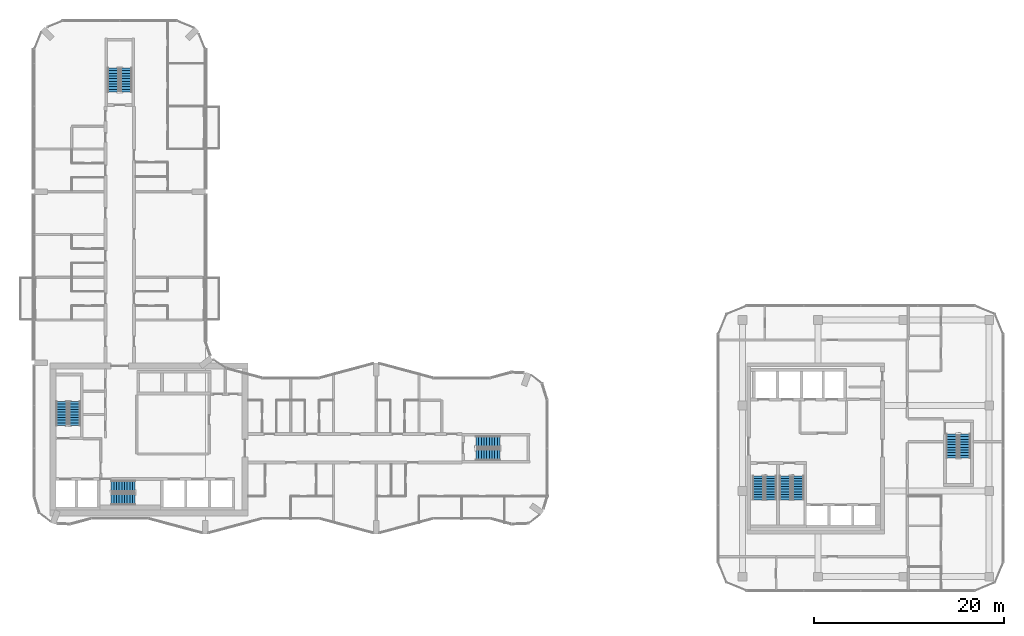
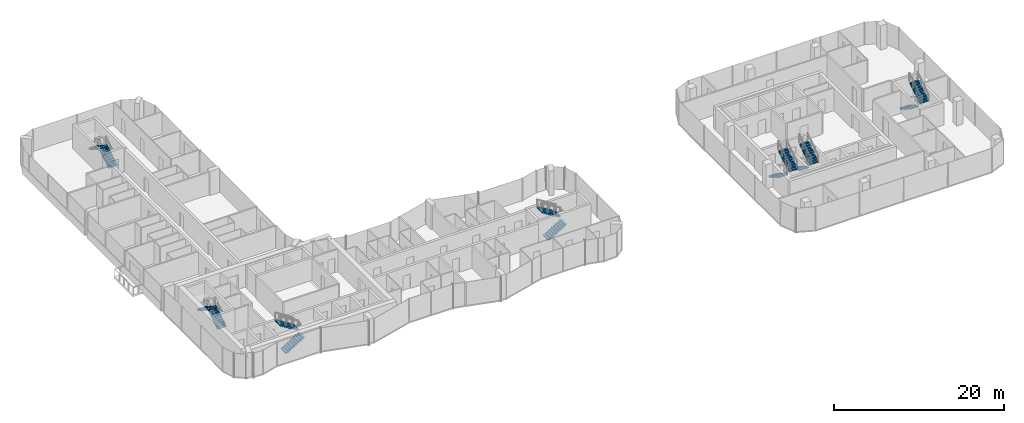
# One storey, part 19 of 22: 14 stair flights, 7 elements without a shape of their own.
"""IFC4 building model written with IfcOpenShell, lengths in metres."""

from ifc_helpers import new_model, si_unit, direction, frame, origin, place, context, subcontext, project, spatial, polyline, outline, extrude, material, type_object, element, aggregate, save


model = new_model("IFC4")

# Units and contexts
model_context = context("Model", 3, precision=1e-05, world=origin(), true_north=direction((0.0, 1.0)))
body_context = subcontext(model_context, "Body", "Model", "MODEL_VIEW")
ifc_project = project(units=[si_unit("LENGTHUNIT", "METRE"), si_unit("AREAUNIT", "SQUARE_METRE"), si_unit("VOLUMEUNIT", "CUBIC_METRE"), si_unit("PLANEANGLEUNIT", "RADIAN"), si_unit("MASSUNIT", "GRAM", prefix="KILO")], contexts=[model_context])

# Site, building, storey
site_placement = place(None, origin())
site = spatial("IfcSite", under=ifc_project, at=site_placement, CompositionType="ELEMENT")
building_placement = place(site_placement, origin())
building = spatial("IfcBuilding", under=site, at=building_placement, Name="Plateau Cross Towers", CompositionType="ELEMENT")
storey_placement = place(building_placement, frame((0.0, 0.0, 102.800048828125)))
storey = spatial("IfcBuildingStorey", under=building, at=storey_placement, Name="L26", CompositionType="ELEMENT", Elevation=102.800048828125)

# Stair, stair flights
ifc_material = material(Name="Concrete C40/50", Category="concrete")
stair_type = type_object("IfcStairType", Name="ST-TWR", PredefinedType="HALF_TURN_STAIR", material=ifc_material)
stair_1_placement = place(storey_placement, origin())
stair_1 = element("IfcStair", 1, at=stair_1_placement, inside=storey, type_object=stair_type, Name="L26 Protected Exit Stair ST-1", PredefinedType="HALF_TURN_STAIR")
stair_flight_type = type_object("IfcStairFlightType", Name="SFL-RC", PredefinedType="STRAIGHT", material=ifc_material)
stair_flight_1_placement = place(storey_placement, frame((4.25, 11.39990234375, 0.0), z_axis=(0.0, 0.0, 1.0), x_axis=(0.0, 1.0, 0.0)))
stair_flight_1 = element("IfcStairFlight", 2, at=stair_flight_1_placement, type_object=stair_flight_type, Name="ST-1 flight 1", NumberOfRisers=10, NumberOfTreads=9, PredefinedType="STRAIGHT", RiserHeight=0.175, TreadLength=0.28, context=body_context, shape_type="SweptSolid", body=[
    extrude(outline(polyline([(-0.0048828125, -0.010009765625), (-0.0048828125, 0.0), (0.0, 0.0), (0.0, 0.175048828125), (0.280029296875, 0.175048828125), (0.280029296875, 0.35009765625), (0.56005859375, 0.35009765625), (0.56005859375, 0.52490234375), (0.840087890625, 0.52490234375), (0.840087890625, 0.699951171875), (1.1201171875, 0.699951171875), (1.1201171875, 0.875), (1.39990234375, 0.875), (1.39990234375, 1.050048828125), (1.679931640625, 1.050048828125), (1.679931640625, 1.22509765625), (1.9599609375, 1.22509765625), (1.9599609375, 1.39990234375), (2.239990234375, 1.39990234375), (2.239990234375, 1.574951171875), (2.52001953125, 1.574951171875), (2.52490234375, 1.56494140625), (2.52490234375, 1.398193359375), (2.52001953125, 1.398193359375), (0.28271484375, 0.0), (0.02001953125, 0.0), (0.02001953125, -0.010009765625), (-0.0048828125, -0.010009765625)])), frame((0.0, 0.60009765625, 0.0), z_axis=(0.0, -1.0, 0.0), x_axis=(1.0, 0.0, 0.0)), (0.0, 0.0, 1.0), 1.199951171875),
])
stair_flight_2_placement = place(storey_placement, frame((2.89990234375, 13.919921875, 1.75), z_axis=(0.0, 0.0, 1.0), x_axis=(0.0, -1.0, 0.0)))
stair_flight_2 = element("IfcStairFlight", 3, at=stair_flight_2_placement, type_object=stair_flight_type, Name="ST-1 flight 2", NumberOfRisers=10, NumberOfTreads=9, PredefinedType="STRAIGHT", RiserHeight=0.175, TreadLength=0.28, context=body_context, shape_type="SweptSolid", body=[
    extrude(outline(polyline([(-0.0048828125, -0.010009765625), (-0.0048828125, 0.0), (0.0, 0.0), (0.0, 0.175048828125), (0.280029296875, 0.175048828125), (0.280029296875, 0.35009765625), (0.56005859375, 0.35009765625), (0.56005859375, 0.52490234375), (0.840087890625, 0.52490234375), (0.840087890625, 0.699951171875), (1.1201171875, 0.699951171875), (1.1201171875, 0.875), (1.39990234375, 0.875), (1.39990234375, 1.050048828125), (1.679931640625, 1.050048828125), (1.679931640625, 1.22509765625), (1.9599609375, 1.22509765625), (1.9599609375, 1.39990234375), (2.239990234375, 1.39990234375), (2.239990234375, 1.574951171875), (2.52001953125, 1.574951171875), (2.52490234375, 1.56494140625), (2.52490234375, 1.398193359375), (2.52001953125, 1.398193359375), (0.28271484375, 0.0), (0.02001953125, 0.0), (0.02001953125, -0.010009765625), (-0.0048828125, -0.010009765625)])), frame((0.0, 0.60009765625, 0.0), z_axis=(0.0, -1.0, 0.0), x_axis=(1.0, 0.0, 0.0)), (0.0, 0.0, 1.0), 1.199951171875),
])
aggregate(stair_1, [stair_flight_1, stair_flight_2])

stair_2_placement = place(storey_placement, origin())
stair_2 = element("IfcStair", 4, at=stair_2_placement, inside=storey, type_object=stair_type, Name="L26 Protected Exit Stair ST-2", PredefinedType="HALF_TURN_STAIR")
stair_flight_3_placement = place(storey_placement, frame((8.10009765625, 3.64990234375, 0.0), z_axis=(0.0, 0.0, 1.0), x_axis=(1.0, 0.0, 0.0)))
stair_flight_3 = element("IfcStairFlight", 5, at=stair_flight_3_placement, type_object=stair_flight_type, Name="ST-2 flight 1", NumberOfRisers=10, NumberOfTreads=9, PredefinedType="STRAIGHT", RiserHeight=0.175, TreadLength=0.28, context=body_context, shape_type="SweptSolid", body=[
    extrude(outline(polyline([(-0.0048828125, -0.010009765625), (-0.0048828125, 0.0), (0.0, 0.0), (0.0, 0.175048828125), (0.280029296875, 0.175048828125), (0.280029296875, 0.35009765625), (0.56005859375, 0.35009765625), (0.56005859375, 0.52490234375), (0.840087890625, 0.52490234375), (0.840087890625, 0.699951171875), (1.1201171875, 0.699951171875), (1.1201171875, 0.875), (1.39990234375, 0.875), (1.39990234375, 1.050048828125), (1.679931640625, 1.050048828125), (1.679931640625, 1.22509765625), (1.9599609375, 1.22509765625), (1.9599609375, 1.39990234375), (2.239990234375, 1.39990234375), (2.239990234375, 1.574951171875), (2.52001953125, 1.574951171875), (2.52490234375, 1.56494140625), (2.52490234375, 1.398193359375), (2.52001953125, 1.398193359375), (0.28271484375, 0.0), (0.02001953125, 0.0), (0.02001953125, -0.010009765625), (-0.0048828125, -0.010009765625)])), frame((0.0, 0.60009765625, 0.0), z_axis=(0.0, -1.0, 0.0), x_axis=(1.0, 0.0, 0.0)), (0.0, 0.0, 1.0), 1.199951171875),
])
stair_flight_4_placement = place(storey_placement, frame((10.6201171875, 5.0, 1.75), z_axis=(0.0, 0.0, 1.0), x_axis=(-1.0, 0.0, 0.0)))
stair_flight_4 = element("IfcStairFlight", 6, at=stair_flight_4_placement, type_object=stair_flight_type, Name="ST-2 flight 2", NumberOfRisers=10, NumberOfTreads=9, PredefinedType="STRAIGHT", RiserHeight=0.175, TreadLength=0.28, context=body_context, shape_type="SweptSolid", body=[
    extrude(outline(polyline([(-0.0048828125, -0.010009765625), (-0.0048828125, 0.0), (0.0, 0.0), (0.0, 0.175048828125), (0.280029296875, 0.175048828125), (0.280029296875, 0.35009765625), (0.56005859375, 0.35009765625), (0.56005859375, 0.52490234375), (0.840087890625, 0.52490234375), (0.840087890625, 0.699951171875), (1.1201171875, 0.699951171875), (1.1201171875, 0.875), (1.39990234375, 0.875), (1.39990234375, 1.050048828125), (1.679931640625, 1.050048828125), (1.679931640625, 1.22509765625), (1.9599609375, 1.22509765625), (1.9599609375, 1.39990234375), (2.239990234375, 1.39990234375), (2.239990234375, 1.574951171875), (2.52001953125, 1.574951171875), (2.52490234375, 1.56494140625), (2.52490234375, 1.398193359375), (2.52001953125, 1.398193359375), (0.28271484375, 0.0), (0.02001953125, 0.0), (0.02001953125, -0.010009765625), (-0.0048828125, -0.010009765625)])), frame((0.0, 0.60009765625, 0.0), z_axis=(0.0, -1.0, 0.0), x_axis=(1.0, 0.0, 0.0)), (0.0, 0.0, 1.0), 1.199951171875),
])
aggregate(stair_2, [stair_flight_3, stair_flight_4])

stair_3_placement = place(storey_placement, origin())
stair_3 = element("IfcStair", 7, at=stair_3_placement, inside=storey, type_object=stair_type, Name="L26 Protected Exit Stair SB-1", PredefinedType="HALF_TURN_STAIR")
stair_flight_5_placement = place(storey_placement, frame((76.199951171875, 6.10009765625, 0.0), z_axis=(0.0, 0.0, 1.0), x_axis=(0.0, -1.0, 0.0)))
stair_flight_5 = element("IfcStairFlight", 8, at=stair_flight_5_placement, type_object=stair_flight_type, Name="SB-1 flight 1", NumberOfRisers=10, NumberOfTreads=9, PredefinedType="STRAIGHT", RiserHeight=0.175, TreadLength=0.28, context=body_context, shape_type="SweptSolid", body=[
    extrude(outline(polyline([(-0.0048828125, -0.010009765625), (-0.0048828125, 0.0), (0.0, 0.0), (0.0, 0.175048828125), (0.280029296875, 0.175048828125), (0.280029296875, 0.35009765625), (0.56005859375, 0.35009765625), (0.56005859375, 0.52490234375), (0.840087890625, 0.52490234375), (0.840087890625, 0.699951171875), (1.1201171875, 0.699951171875), (1.1201171875, 0.875), (1.39990234375, 0.875), (1.39990234375, 1.050048828125), (1.679931640625, 1.050048828125), (1.679931640625, 1.22509765625), (1.9599609375, 1.22509765625), (1.9599609375, 1.39990234375), (2.239990234375, 1.39990234375), (2.239990234375, 1.574951171875), (2.52001953125, 1.574951171875), (2.52490234375, 1.56494140625), (2.52490234375, 1.398193359375), (2.52001953125, 1.398193359375), (0.28271484375, 0.0), (0.02001953125, 0.0), (0.02001953125, -0.010009765625), (-0.0048828125, -0.010009765625)])), frame((0.0, 0.60009765625, 0.0), z_axis=(0.0, -1.0, 0.0), x_axis=(1.0, 0.0, 0.0)), (0.0, 0.0, 1.0), 1.199951171875),
])
stair_flight_6_placement = place(storey_placement, frame((77.550048828125, 3.580078125, 1.75), z_axis=(0.0, 0.0, 1.0), x_axis=(0.0, 1.0, 0.0)))
stair_flight_6 = element("IfcStairFlight", 9, at=stair_flight_6_placement, type_object=stair_flight_type, Name="SB-1 flight 2", NumberOfRisers=10, NumberOfTreads=9, PredefinedType="STRAIGHT", RiserHeight=0.175, TreadLength=0.28, context=body_context, shape_type="SweptSolid", body=[
    extrude(outline(polyline([(-0.0048828125, -0.010009765625), (-0.0048828125, 0.0), (0.0, 0.0), (0.0, 0.175048828125), (0.280029296875, 0.175048828125), (0.280029296875, 0.35009765625), (0.56005859375, 0.35009765625), (0.56005859375, 0.52490234375), (0.840087890625, 0.52490234375), (0.840087890625, 0.699951171875), (1.1201171875, 0.699951171875), (1.1201171875, 0.875), (1.39990234375, 0.875), (1.39990234375, 1.050048828125), (1.679931640625, 1.050048828125), (1.679931640625, 1.22509765625), (1.9599609375, 1.22509765625), (1.9599609375, 1.39990234375), (2.239990234375, 1.39990234375), (2.239990234375, 1.574951171875), (2.52001953125, 1.574951171875), (2.52490234375, 1.56494140625), (2.52490234375, 1.398193359375), (2.52001953125, 1.398193359375), (0.28271484375, 0.0), (0.02001953125, 0.0), (0.02001953125, -0.010009765625), (-0.0048828125, -0.010009765625)])), frame((0.0, 0.60009765625, 0.0), z_axis=(0.0, -1.0, 0.0), x_axis=(1.0, 0.0, 0.0)), (0.0, 0.0, 1.0), 1.199951171875),
])
aggregate(stair_3, [stair_flight_5, stair_flight_6])

stair_4_placement = place(storey_placement, origin())
stair_4 = element("IfcStair", 10, at=stair_4_placement, inside=storey, type_object=stair_type, Name="L26 Protected Exit Stair SB-2", PredefinedType="HALF_TURN_STAIR")
stair_flight_7_placement = place(storey_placement, frame((79.050048828125, 6.10009765625, 0.0), z_axis=(0.0, 0.0, 1.0), x_axis=(0.0, -1.0, 0.0)))
stair_flight_7 = element("IfcStairFlight", 11, at=stair_flight_7_placement, type_object=stair_flight_type, Name="SB-2 flight 1", NumberOfRisers=10, NumberOfTreads=9, PredefinedType="STRAIGHT", RiserHeight=0.175, TreadLength=0.28, context=body_context, shape_type="SweptSolid", body=[
    extrude(outline(polyline([(-0.0048828125, -0.010009765625), (-0.0048828125, 0.0), (0.0, 0.0), (0.0, 0.175048828125), (0.280029296875, 0.175048828125), (0.280029296875, 0.35009765625), (0.56005859375, 0.35009765625), (0.56005859375, 0.52490234375), (0.840087890625, 0.52490234375), (0.840087890625, 0.699951171875), (1.1201171875, 0.699951171875), (1.1201171875, 0.875), (1.39990234375, 0.875), (1.39990234375, 1.050048828125), (1.679931640625, 1.050048828125), (1.679931640625, 1.22509765625), (1.9599609375, 1.22509765625), (1.9599609375, 1.39990234375), (2.239990234375, 1.39990234375), (2.239990234375, 1.574951171875), (2.52001953125, 1.574951171875), (2.52490234375, 1.56494140625), (2.52490234375, 1.398193359375), (2.52001953125, 1.398193359375), (0.28271484375, 0.0), (0.02001953125, 0.0), (0.02001953125, -0.010009765625), (-0.0048828125, -0.010009765625)])), frame((0.0, 0.60009765625, 0.0), z_axis=(0.0, -1.0, 0.0), x_axis=(1.0, 0.0, 0.0)), (0.0, 0.0, 1.0), 1.199951171875),
])
stair_flight_8_placement = place(storey_placement, frame((80.39990234375, 3.580078125, 1.75), z_axis=(0.0, 0.0, 1.0), x_axis=(0.0, 1.0, 0.0)))
stair_flight_8 = element("IfcStairFlight", 12, at=stair_flight_8_placement, type_object=stair_flight_type, Name="SB-2 flight 2", NumberOfRisers=10, NumberOfTreads=9, PredefinedType="STRAIGHT", RiserHeight=0.175, TreadLength=0.28, context=body_context, shape_type="SweptSolid", body=[
    extrude(outline(polyline([(-0.0048828125, -0.010009765625), (-0.0048828125, 0.0), (0.0, 0.0), (0.0, 0.175048828125), (0.280029296875, 0.175048828125), (0.280029296875, 0.35009765625), (0.56005859375, 0.35009765625), (0.56005859375, 0.52490234375), (0.840087890625, 0.52490234375), (0.840087890625, 0.699951171875), (1.1201171875, 0.699951171875), (1.1201171875, 0.875), (1.39990234375, 0.875), (1.39990234375, 1.050048828125), (1.679931640625, 1.050048828125), (1.679931640625, 1.22509765625), (1.9599609375, 1.22509765625), (1.9599609375, 1.39990234375), (2.239990234375, 1.39990234375), (2.239990234375, 1.574951171875), (2.52001953125, 1.574951171875), (2.52490234375, 1.56494140625), (2.52490234375, 1.398193359375), (2.52001953125, 1.398193359375), (0.28271484375, 0.0), (0.02001953125, 0.0), (0.02001953125, -0.010009765625), (-0.0048828125, -0.010009765625)])), frame((0.0, 0.60009765625, 0.0), z_axis=(0.0, -1.0, 0.0), x_axis=(1.0, 0.0, 0.0)), (0.0, 0.0, 1.0), 1.199951171875),
])
aggregate(stair_4, [stair_flight_7, stair_flight_8])

stair_5_placement = place(storey_placement, origin())
stair_5 = element("IfcStair", 13, at=stair_5_placement, inside=storey, type_object=stair_type, Name="L26 Protected Exit Stair SB-3", PredefinedType="HALF_TURN_STAIR")
stair_flight_9_placement = place(storey_placement, frame((96.60009765625, 10.5, 0.0), z_axis=(0.0, 0.0, 1.0), x_axis=(0.0, -1.0, 0.0)))
stair_flight_9 = element("IfcStairFlight", 14, at=stair_flight_9_placement, type_object=stair_flight_type, Name="SB-3 flight 1", NumberOfRisers=10, NumberOfTreads=9, PredefinedType="STRAIGHT", RiserHeight=0.175, TreadLength=0.28, context=body_context, shape_type="SweptSolid", body=[
    extrude(outline(polyline([(-0.0048828125, -0.010009765625), (-0.0048828125, 0.0), (0.0, 0.0), (0.0, 0.175048828125), (0.280029296875, 0.175048828125), (0.280029296875, 0.35009765625), (0.56005859375, 0.35009765625), (0.56005859375, 0.52490234375), (0.840087890625, 0.52490234375), (0.840087890625, 0.699951171875), (1.1201171875, 0.699951171875), (1.1201171875, 0.875), (1.39990234375, 0.875), (1.39990234375, 1.050048828125), (1.679931640625, 1.050048828125), (1.679931640625, 1.22509765625), (1.9599609375, 1.22509765625), (1.9599609375, 1.39990234375), (2.239990234375, 1.39990234375), (2.239990234375, 1.574951171875), (2.52001953125, 1.574951171875), (2.52490234375, 1.56494140625), (2.52490234375, 1.398193359375), (2.52001953125, 1.398193359375), (0.28271484375, 0.0), (0.02001953125, 0.0), (0.02001953125, -0.010009765625), (-0.0048828125, -0.010009765625)])), frame((0.0, 0.60009765625, 0.0), z_axis=(0.0, -1.0, 0.0), x_axis=(1.0, 0.0, 0.0)), (0.0, 0.0, 1.0), 1.199951171875),
])
stair_flight_10_placement = place(storey_placement, frame((97.949951171875, 7.97998046875, 1.75), z_axis=(0.0, 0.0, 1.0), x_axis=(0.0, 1.0, 0.0)))
stair_flight_10 = element("IfcStairFlight", 15, at=stair_flight_10_placement, type_object=stair_flight_type, Name="SB-3 flight 2", NumberOfRisers=10, NumberOfTreads=9, PredefinedType="STRAIGHT", RiserHeight=0.175, TreadLength=0.28, context=body_context, shape_type="SweptSolid", body=[
    extrude(outline(polyline([(-0.0048828125, -0.010009765625), (-0.0048828125, 0.0), (0.0, 0.0), (0.0, 0.175048828125), (0.280029296875, 0.175048828125), (0.280029296875, 0.35009765625), (0.56005859375, 0.35009765625), (0.56005859375, 0.52490234375), (0.840087890625, 0.52490234375), (0.840087890625, 0.699951171875), (1.1201171875, 0.699951171875), (1.1201171875, 0.875), (1.39990234375, 0.875), (1.39990234375, 1.050048828125), (1.679931640625, 1.050048828125), (1.679931640625, 1.22509765625), (1.9599609375, 1.22509765625), (1.9599609375, 1.39990234375), (2.239990234375, 1.39990234375), (2.239990234375, 1.574951171875), (2.52001953125, 1.574951171875), (2.52490234375, 1.56494140625), (2.52490234375, 1.398193359375), (2.52001953125, 1.398193359375), (0.28271484375, 0.0), (0.02001953125, 0.0), (0.02001953125, -0.010009765625), (-0.0048828125, -0.010009765625)])), frame((0.0, 0.60009765625, 0.0), z_axis=(0.0, -1.0, 0.0), x_axis=(1.0, 0.0, 0.0)), (0.0, 0.0, 1.0), 1.199951171875),
])
aggregate(stair_5, [stair_flight_9, stair_flight_10])

stair_6_placement = place(storey_placement, origin())
stair_6 = element("IfcStair", 16, at=stair_6_placement, inside=storey, type_object=stair_type, Name="L26 Protected Exit Stair E", PredefinedType="HALF_TURN_STAIR")
stair_flight_11_placement = place(storey_placement, frame((46.5, 8.324951171875, 0.0), z_axis=(0.0, 0.0, 1.0), x_axis=(1.0, 0.0, 0.0)))
stair_flight_11 = element("IfcStairFlight", 17, at=stair_flight_11_placement, type_object=stair_flight_type, Name="ES-E flight 1", NumberOfRisers=10, NumberOfTreads=9, PredefinedType="STRAIGHT", RiserHeight=0.175, TreadLength=0.28, context=body_context, shape_type="SweptSolid", body=[
    extrude(outline(polyline([(-0.0048828125, -0.010009765625), (-0.0048828125, 0.0), (0.0, 0.0), (0.0, 0.175048828125), (0.280029296875, 0.175048828125), (0.280029296875, 0.35009765625), (0.56005859375, 0.35009765625), (0.56005859375, 0.52490234375), (0.840087890625, 0.52490234375), (0.840087890625, 0.699951171875), (1.1201171875, 0.699951171875), (1.1201171875, 0.875), (1.39990234375, 0.875), (1.39990234375, 1.050048828125), (1.679931640625, 1.050048828125), (1.679931640625, 1.22509765625), (1.9599609375, 1.22509765625), (1.9599609375, 1.39990234375), (2.239990234375, 1.39990234375), (2.239990234375, 1.574951171875), (2.52001953125, 1.574951171875), (2.52490234375, 1.56494140625), (2.52490234375, 1.398193359375), (2.52001953125, 1.398193359375), (0.28271484375, 0.0), (0.02001953125, 0.0), (0.02001953125, -0.010009765625), (-0.0048828125, -0.010009765625)])), frame((0.0, 0.60009765625, 0.0), z_axis=(0.0, -1.0, 0.0), x_axis=(1.0, 0.0, 0.0)), (0.0, 0.0, 1.0), 1.199951171875),
])
stair_flight_12_placement = place(storey_placement, frame((49.02001953125, 9.675048828125, 1.75), z_axis=(0.0, 0.0, 1.0), x_axis=(-1.0, 0.0, 0.0)))
stair_flight_12 = element("IfcStairFlight", 18, at=stair_flight_12_placement, type_object=stair_flight_type, Name="ES-E flight 2", NumberOfRisers=10, NumberOfTreads=9, PredefinedType="STRAIGHT", RiserHeight=0.175, TreadLength=0.28, context=body_context, shape_type="SweptSolid", body=[
    extrude(outline(polyline([(-0.0048828125, -0.010009765625), (-0.0048828125, 0.0), (0.0, 0.0), (0.0, 0.175048828125), (0.280029296875, 0.175048828125), (0.280029296875, 0.35009765625), (0.56005859375, 0.35009765625), (0.56005859375, 0.52490234375), (0.840087890625, 0.52490234375), (0.840087890625, 0.699951171875), (1.1201171875, 0.699951171875), (1.1201171875, 0.875), (1.39990234375, 0.875), (1.39990234375, 1.050048828125), (1.679931640625, 1.050048828125), (1.679931640625, 1.22509765625), (1.9599609375, 1.22509765625), (1.9599609375, 1.39990234375), (2.239990234375, 1.39990234375), (2.239990234375, 1.574951171875), (2.52001953125, 1.574951171875), (2.52490234375, 1.56494140625), (2.52490234375, 1.398193359375), (2.52001953125, 1.398193359375), (0.28271484375, 0.0), (0.02001953125, 0.0), (0.02001953125, -0.010009765625), (-0.0048828125, -0.010009765625)])), frame((0.0, 0.60009765625, 0.0), z_axis=(0.0, -1.0, 0.0), x_axis=(1.0, 0.0, 0.0)), (0.0, 0.0, 1.0), 1.199951171875),
])
aggregate(stair_6, [stair_flight_11, stair_flight_12])

stair_7_placement = place(storey_placement, origin())
stair_7 = element("IfcStair", 19, at=stair_7_placement, inside=storey, type_object=stair_type, Name="L26 Protected Exit Stair N", PredefinedType="HALF_TURN_STAIR")
stair_flight_13_placement = place(storey_placement, frame((9.675048828125, 46.5, 0.0), z_axis=(0.0, 0.0, 1.0), x_axis=(0.0, 1.0, 0.0)))
stair_flight_13 = element("IfcStairFlight", 20, at=stair_flight_13_placement, type_object=stair_flight_type, Name="ES-N flight 1", NumberOfRisers=10, NumberOfTreads=9, PredefinedType="STRAIGHT", RiserHeight=0.175, TreadLength=0.28, context=body_context, shape_type="SweptSolid", body=[
    extrude(outline(polyline([(-0.0048828125, -0.010009765625), (-0.0048828125, 0.0), (0.0, 0.0), (0.0, 0.175048828125), (0.280029296875, 0.175048828125), (0.280029296875, 0.35009765625), (0.56005859375, 0.35009765625), (0.56005859375, 0.52490234375), (0.840087890625, 0.52490234375), (0.840087890625, 0.699951171875), (1.1201171875, 0.699951171875), (1.1201171875, 0.875), (1.39990234375, 0.875), (1.39990234375, 1.050048828125), (1.679931640625, 1.050048828125), (1.679931640625, 1.22509765625), (1.9599609375, 1.22509765625), (1.9599609375, 1.39990234375), (2.239990234375, 1.39990234375), (2.239990234375, 1.574951171875), (2.52001953125, 1.574951171875), (2.52490234375, 1.56494140625), (2.52490234375, 1.398193359375), (2.52001953125, 1.398193359375), (0.28271484375, 0.0), (0.02001953125, 0.0), (0.02001953125, -0.010009765625), (-0.0048828125, -0.010009765625)])), frame((0.0, 0.60009765625, 0.0), z_axis=(0.0, -1.0, 0.0), x_axis=(1.0, 0.0, 0.0)), (0.0, 0.0, 1.0), 1.199951171875),
])
stair_flight_14_placement = place(storey_placement, frame((8.324951171875, 49.02001953125, 1.75), z_axis=(0.0, 0.0, 1.0), x_axis=(0.0, -1.0, 0.0)))
stair_flight_14 = element("IfcStairFlight", 21, at=stair_flight_14_placement, type_object=stair_flight_type, Name="ES-N flight 2", NumberOfRisers=10, NumberOfTreads=9, PredefinedType="STRAIGHT", RiserHeight=0.175, TreadLength=0.28, context=body_context, shape_type="SweptSolid", body=[
    extrude(outline(polyline([(-0.0048828125, -0.010009765625), (-0.0048828125, 0.0), (0.0, 0.0), (0.0, 0.175048828125), (0.280029296875, 0.175048828125), (0.280029296875, 0.35009765625), (0.56005859375, 0.35009765625), (0.56005859375, 0.52490234375), (0.840087890625, 0.52490234375), (0.840087890625, 0.699951171875), (1.1201171875, 0.699951171875), (1.1201171875, 0.875), (1.39990234375, 0.875), (1.39990234375, 1.050048828125), (1.679931640625, 1.050048828125), (1.679931640625, 1.22509765625), (1.9599609375, 1.22509765625), (1.9599609375, 1.39990234375), (2.239990234375, 1.39990234375), (2.239990234375, 1.574951171875), (2.52001953125, 1.574951171875), (2.52490234375, 1.56494140625), (2.52490234375, 1.398193359375), (2.52001953125, 1.398193359375), (0.28271484375, 0.0), (0.02001953125, 0.0), (0.02001953125, -0.010009765625), (-0.0048828125, -0.010009765625)])), frame((0.0, 0.60009765625, 0.0), z_axis=(0.0, -1.0, 0.0), x_axis=(1.0, 0.0, 0.0)), (0.0, 0.0, 1.0), 1.199951171875),
])
aggregate(stair_7, [stair_flight_13, stair_flight_14])

save(model, "model.ifc")
